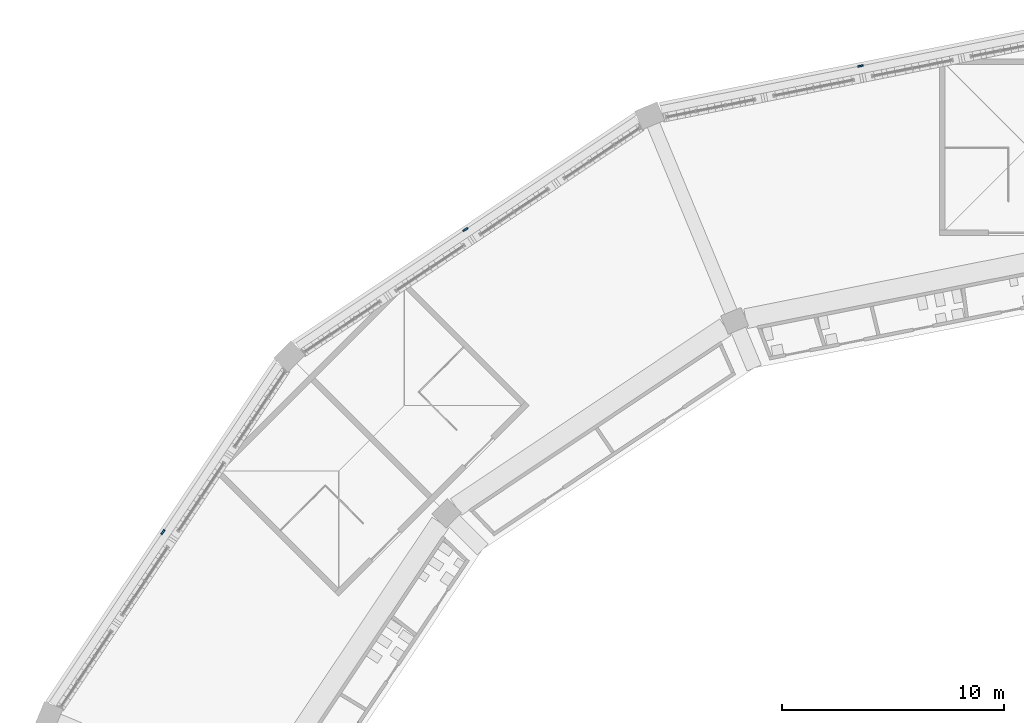
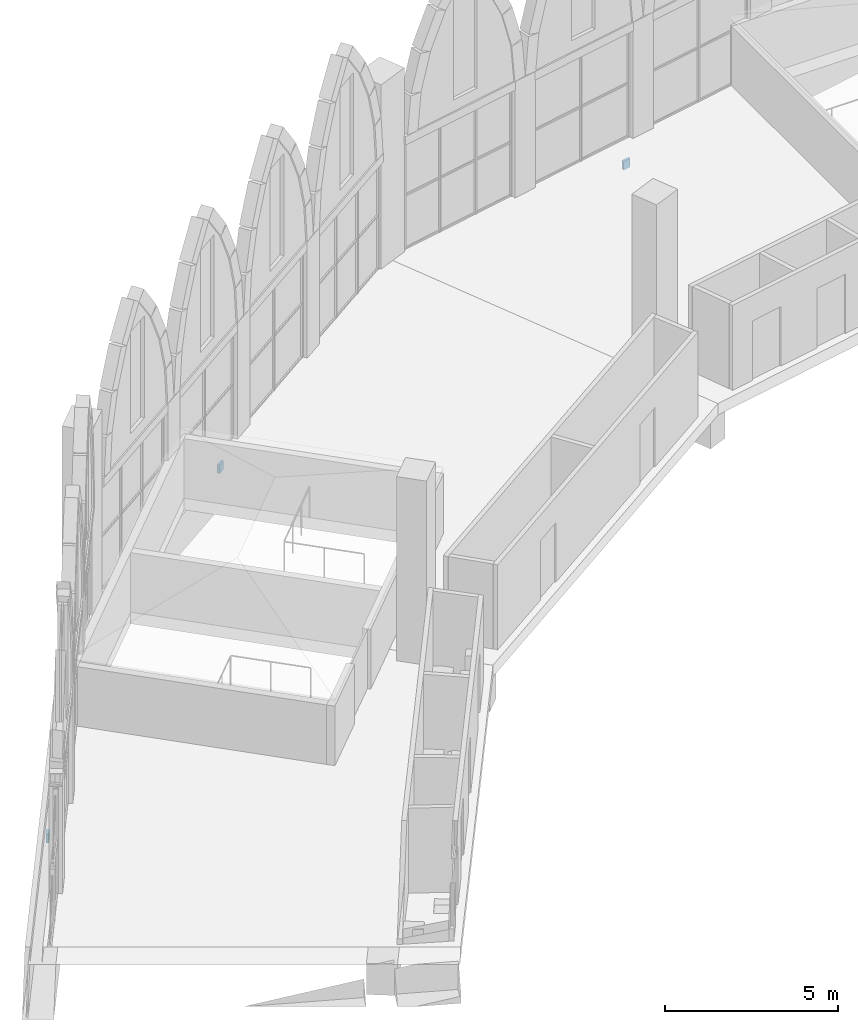
# One storey, part 97 of 130: 3 discrete accessories.
"""IFC4 building model written with IfcOpenShell, lengths in metres."""

import ifcopenshell
import ifcopenshell.guid

model = None  # the IFC model being written
_history = None  # IfcOwnerHistory: only IFC2X3 demands one
_inside = {}  # id of a spatial element -> (the spatial element, [elements in it])
_under = {}  # id of a project, library or spatial element -> (it, [spatial elements below it])
_declared = {}  # id of a project -> (the project, [libraries it declares])
_typed = {}  # id of a type object -> (the type object, [elements of that type])
_made_of = {}  # id of a material, layer set ... -> (it, [elements and type objects made of it])


def new_model(schema):
    """Start an empty IFC model of exactly this schema.

    Asked for "IFC4X3", IfcOpenShell would pick the latest addendum, in which some entities
    have other attributes; the version numbers below select the first issue.
    IFC2X3 requires an IfcOwnerHistory on every rooted entity: one is made here for all.
    """
    global model, _history
    if schema == "IFC4X3":
        model = ifcopenshell.file(schema_version=(4, 3, 0, 0))
    else:
        model = ifcopenshell.file(schema=schema)
    _inside.clear()
    _under.clear()
    _declared.clear()
    _typed.clear()
    _made_of.clear()
    _history = None
    if model.schema == "IFC2X3":
        org = make("IfcOrganization", Name="unknown")
        user = make(
            "IfcPersonAndOrganization",
            ThePerson=make("IfcPerson", FamilyName="unknown"),
            TheOrganization=org,
        )
        app = make(
            "IfcApplication",
            ApplicationDeveloper=org,
            Version="unknown",
            ApplicationFullName="unknown",
            ApplicationIdentifier="unknown",
        )
        _history = make(
            "IfcOwnerHistory",
            OwningUser=user,
            OwningApplication=app,
            ChangeAction="ADDED",
            CreationDate=0,
        )
    return model


def make(cls, **values):
    """One entity of the class cls with the attributes given. An attribute that is None is left unset."""
    return model.create_entity(
        cls, **{name: value for name, value in values.items() if value is not None}
    )


def rooted(cls, **values):
    """An entity with a GlobalId (a new one), such as an element, a storey or a relation."""
    return make(cls, GlobalId=ifcopenshell.guid.new(), OwnerHistory=_history, **values)


def si_unit(unit_type, name, prefix=None):
    """IfcSIUnit, for example si_unit("LENGTHUNIT", "METRE", prefix="MILLI")."""
    return make("IfcSIUnit", UnitType=unit_type, Prefix=prefix, Name=name)


def assignment(units):
    """IfcUnitAssignment: the units of a project."""
    return None if units is None else make("IfcUnitAssignment", Units=units)


def point(xyz):
    """IfcCartesianPoint."""
    return None if xyz is None else make("IfcCartesianPoint", Coordinates=xyz)


def direction(xyz):
    """IfcDirection."""
    return None if xyz is None else make("IfcDirection", DirectionRatios=xyz)


def frame(location, z_axis=None, x_axis=None):
    """IfcAxis2Placement3D, a coordinate frame: its origin and axes. An axis left out is left unset."""
    return make(
        "IfcAxis2Placement3D",
        Location=point(location),
        Axis=direction(z_axis),
        RefDirection=direction(x_axis),
    )


def frame_2d(location, x_axis=None):
    """IfcAxis2Placement2D, a coordinate frame in the plane: its origin and x axis."""
    return make(
        "IfcAxis2Placement2D", Location=point(location), RefDirection=direction(x_axis)
    )


def origin():
    """The frame at (0, 0, 0) with its axes left unset."""
    return frame((0.0, 0.0, 0.0))


def origin_2d():
    """The frame at (0, 0) in the plane with its x axis left unset."""
    return frame_2d((0.0, 0.0))


def place(relative_to, where):
    """IfcLocalPlacement: puts the frame where relative to a parent placement (None: the world)."""
    return make(
        "IfcLocalPlacement", PlacementRelTo=relative_to, RelativePlacement=where
    )


def context(
    kind, dimensions, precision=None, world=None, true_north=None, identifier=None
):
    """IfcGeometricRepresentationContext, for example the 3D "Model" context."""
    return make(
        "IfcGeometricRepresentationContext",
        ContextIdentifier=identifier,
        ContextType=kind,
        CoordinateSpaceDimension=dimensions,
        Precision=precision,
        WorldCoordinateSystem=world,
        TrueNorth=true_north,
    )


def subcontext(parent, identifier, kind, view, scale=None):
    """IfcGeometricRepresentationSubContext, for example "Body" below "Model"."""
    return make(
        "IfcGeometricRepresentationSubContext",
        ContextIdentifier=identifier,
        ContextType=kind,
        ParentContext=parent,
        TargetScale=scale,
        TargetView=view,
    )


def project(units=None, contexts=None):
    """IfcProject with its units and contexts."""
    return rooted(
        "IfcProject",
        Name="project",
        RepresentationContexts=contexts,
        UnitsInContext=assignment(units),
    )


def spatial(cls, under=None, at=None, **own):
    """A site, building, storey or space (cls), placed at a placement, below another one or the project."""
    s = rooted(cls, ObjectPlacement=at, **own)
    if under is not None:
        _under.setdefault(under.id(), (under, []))[1].append(s)
    return s


def profile(cls, at=None, kind="AREA", **sizes):
    """A parametric profile (cls). Its sizes go by their IFC names, for example OverallWidth=200.0."""
    return make(cls, ProfileType=kind, Position=at, **sizes)


def rectangle(**sizes):
    """IfcRectangleProfileDef."""
    return profile("IfcRectangleProfileDef", **sizes)


def extrude(swept, where, along, depth):
    """IfcExtrudedAreaSolid: the profile swept, set in the frame where, extruded along a direction by depth."""
    return make(
        "IfcExtrudedAreaSolid",
        SweptArea=swept,
        Position=where,
        ExtrudedDirection=direction(along),
        Depth=depth,
    )


def shape(context_of_items, identifier, shape_type, items):
    """IfcShapeRepresentation: the items that make up one representation, for example the "Body"."""
    return make(
        "IfcShapeRepresentation",
        ContextOfItems=context_of_items,
        RepresentationIdentifier=identifier,
        RepresentationType=shape_type,
        Items=items,
    )


def material(Name=None, Category=None):
    """IfcMaterial."""
    return make("IfcMaterial", Name=Name, Category=Category)


def layer(
    of_material, thickness, ventilated=None, Name=None, Category=None, Priority=None
):
    """IfcMaterialLayer: one layer of a wall or slab, of a material (None: an air gap)."""
    return make(
        "IfcMaterialLayer",
        Material=of_material,
        LayerThickness=thickness,
        IsVentilated=ventilated,
        Name=Name,
        Category=Category,
        Priority=Priority,
    )


def layer_set(layers, Name=None):
    """IfcMaterialLayerSet."""
    return make("IfcMaterialLayerSet", MaterialLayers=layers, LayerSetName=Name)


def made_of(thing, what):
    """Note that an element or type object is made of a material, layer set ...; save() writes the relation."""
    if what is not None:
        _made_of.setdefault(what.id(), (what, []))[1].append(thing)
    return thing


def type_object(cls, material=None, **own):
    """A type object (cls), such as IfcWallType, which elements share."""
    return made_of(rooted(cls, **own), material)


def element(
    cls,
    number,
    at=None,
    inside=None,
    cuts=None,
    type_object=None,
    material=None,
    context=None,
    identifier="Body",
    shape_type=None,
    held_by="IfcProductDefinitionShape",
    body=None,
    shapes=None,
    **own,
):
    """One element of the class cls, such as IfcWall. Its Tag is "e" and its number.

    at: its placement. inside: the storey or other place that contains it. cuts: it is an
    opening in that element (IfcRelVoidsElement). A single representation is given by context,
    identifier, shape_type and body (its items); several are given by shapes. held_by: the class
    of the entity that holds the representations. save() writes the other relations.
    """
    e = rooted(cls, Tag="e%d" % number, ObjectPlacement=at, **own)
    if body is not None:
        shapes = [shape(context, identifier, shape_type, body)]
    if shapes is not None:
        e.Representation = make(held_by, Representations=shapes)
    if inside is not None:
        _inside.setdefault(inside.id(), (inside, []))[1].append(e)
    if cuts is not None:
        rooted(
            "IfcRelVoidsElement", RelatingBuildingElement=cuts, RelatedOpeningElement=e
        )
    if type_object is not None:
        _typed.setdefault(type_object.id(), (type_object, []))[1].append(e)
    return made_of(e, material)


def aggregate(whole, parts):
    """IfcRelAggregates: a whole, such as a stair, and the parts it consists of."""
    return rooted("IfcRelAggregates", RelatingObject=whole, RelatedObjects=parts)


def save(model, path):
    """Write the relations noted so far, then the file.

    IfcRelAggregates (storeys below a building ...), IfcRelContainedInSpatialStructure (elements
    in a storey), IfcRelDefinesByType, IfcRelAssociatesMaterial and IfcRelDeclares: one each for
    every whole, place, type object, material and project.
    """
    for whole, parts in _under.values():
        aggregate(whole, parts)
    for where, things in _inside.values():
        rooted(
            "IfcRelContainedInSpatialStructure",
            RelatedElements=things,
            RelatingStructure=where,
        )
    for kind, things in _typed.values():
        rooted("IfcRelDefinesByType", RelatedObjects=things, RelatingType=kind)
    for what, things in _made_of.values():
        rooted("IfcRelAssociatesMaterial", RelatedObjects=things, RelatingMaterial=what)
    for by, libraries in _declared.values():
        rooted("IfcRelDeclares", RelatingContext=by, RelatedDefinitions=libraries)
    model.write(path)


model = new_model("IFC4")

# Units and contexts
model_context = context("Model", 3, precision=1e-05, world=origin(), true_north=direction((0.0, 1.0)))
body_context = subcontext(model_context, "Body", "Model", "MODEL_VIEW")
ifc_project = project(units=[si_unit("LENGTHUNIT", "METRE"), si_unit("AREAUNIT", "SQUARE_METRE"), si_unit("VOLUMEUNIT", "CUBIC_METRE"), si_unit("PLANEANGLEUNIT", "RADIAN"), si_unit("MASSUNIT", "GRAM", prefix="KILO")], contexts=[model_context])

# Site, building, storey
site_placement = place(None, origin())
site = spatial("IfcSite", under=ifc_project, at=site_placement, CompositionType="ELEMENT")
building_placement = place(site_placement, origin())
building = spatial("IfcBuilding", under=site, at=building_placement, Name="Ogive Plaza Stadium", CompositionType="ELEMENT")
storey_placement = place(building_placement, frame((0.0, 0.0, 22.5)))
storey = spatial("IfcBuildingStorey", under=building, at=storey_placement, Name="L05", CompositionType="ELEMENT", Elevation=22.5)

# Discrete accessories
ifc_material = material(Name="Steel ASTM A572 Grade 50", Category="steel")
ifc_layer = layer(ifc_material, 0.080078125)
ifc_layer_set = layer_set([ifc_layer], Name="Steel ASTM A572 Grade 50")
discrete_accessory_type = type_object("IfcDiscreteAccessoryType", Name="Spandrel cladding bracket 250x300", PredefinedType="BRACKET", material=ifc_layer_set)
for number, where, z_axis, x_axis, name in (
    (1, (-75.065673828125, 79.939208984375, -1.60986328125), (0.0, 0.0, 1.0), (0.555570233005, 0.831469612312, 0.0), "SPANDREL BRACKET B29 L05"),
    (2, (-61.439208984375, 93.565673828125, -1.60986328125), (0.0, 0.0, 1.0), (0.831469612312, 0.555570233005, 0.0), "SPANDREL BRACKET B30 L05"),
    (3, (-43.635498046875, 100.940185546875, -1.60986328125), (0.0, 0.0, 1.0), (0.980785280403, 0.195090322016, 0.0), "SPANDREL BRACKET B31 L05"),
):
    element("IfcDiscreteAccessory", number, at=place(storey_placement, frame(where, z_axis=z_axis, x_axis=x_axis)), inside=storey, type_object=discrete_accessory_type, Name=name, PredefinedType="BRACKET", context=body_context, shape_type="SweptSolid", body=[
        extrude(rectangle(XDim=0.25, YDim=0.080078125, at=origin_2d()), origin(), (0.0, 0.0, 1.0), 0.300048828125),
    ])

save(model, "model.ifc")
